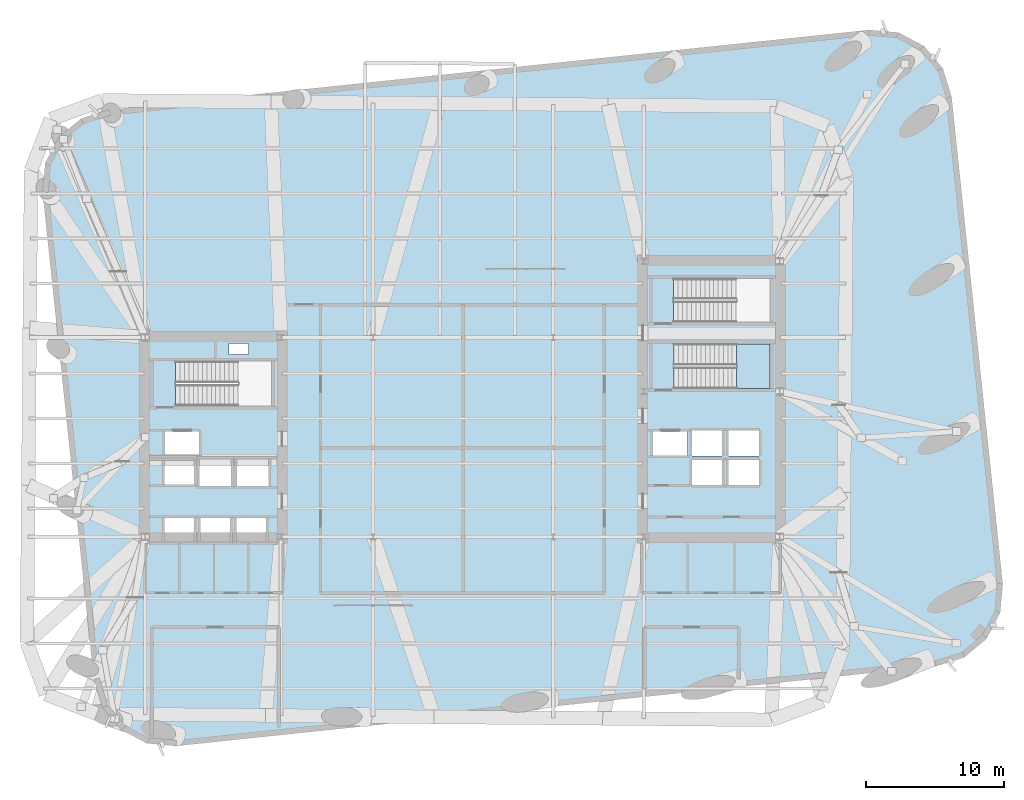
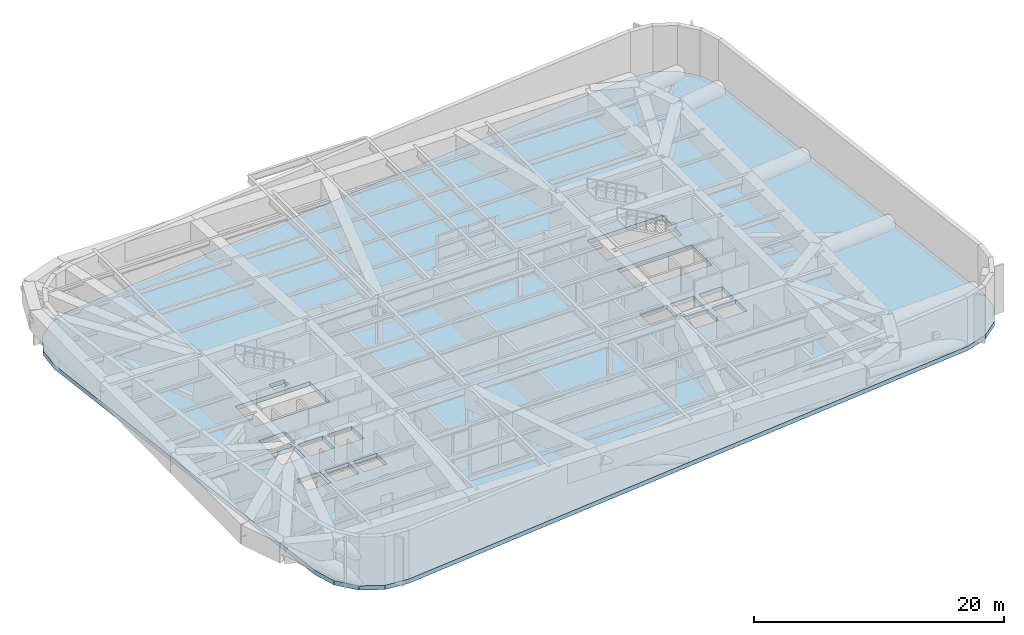
# One storey, part 6 of 15: 2 slabs, 1 element without a shape of its own.
"""IFC4 building model written with IfcOpenShell, lengths in metres."""

from ifc_helpers import new_model, si_unit, direction, frame, origin, place, context, subcontext, project, spatial, polyline, outline, extrude, material, layer, layer_set, type_object, element, aggregate, save


model = new_model("IFC4")

# Units and contexts
model_context = context("Model", 3, precision=1e-05, world=origin(), true_north=direction((0.0, 1.0)))
body_context = subcontext(model_context, "Body", "Model", "MODEL_VIEW")
ifc_project = project(units=[si_unit("LENGTHUNIT", "METRE"), si_unit("AREAUNIT", "SQUARE_METRE"), si_unit("VOLUMEUNIT", "CUBIC_METRE"), si_unit("PLANEANGLEUNIT", "RADIAN"), si_unit("MASSUNIT", "GRAM", prefix="KILO")], contexts=[model_context])

# Site, building, storey
site_placement = place(None, origin())
site = spatial("IfcSite", under=ifc_project, at=site_placement, CompositionType="ELEMENT")
building_placement = place(site_placement, origin())
building = spatial("IfcBuilding", under=site, at=building_placement, Name="Kolvaren Arena Tower", CompositionType="ELEMENT")
storey_placement = place(building_placement, frame((0.0, 0.0, 153.25)))
storey = spatial("IfcBuildingStorey", under=building, at=storey_placement, Name="L36", CompositionType="ELEMENT", Elevation=153.25)

# Stair, slab
ifc_material_1 = material(Name="Concrete 45 MPa", Category="concrete")
stair_type = type_object("IfcStairType", Name="STAIR-CORE-165", PredefinedType="HALF_TURN_STAIR", material=ifc_material_1)
stair_placement = place(storey_placement, origin())
stair = element("IfcStair", 1, at=stair_placement, inside=storey, type_object=stair_type, Name="L36 ST-E1", PredefinedType="HALF_TURN_STAIR")
ifc_layer_1 = layer(ifc_material_1, 0.199951171875)
ifc_layer_set_1 = layer_set([ifc_layer_1], Name="Concrete 45 MPa")
slab_type_1 = type_object("IfcSlabType", Name="SLAB-LAND", PredefinedType="LANDING", material=ifc_layer_set_1)
slab_1_placement = place(storey_placement, frame((0.0, 0.0, 2.39990234375)))
slab_1 = element("IfcSlab", 2, at=slab_1_placement, type_object=slab_type_1, Name="ST-E1 landing 1", PredefinedType="LANDING", context=body_context, shape_type="SweptSolid", body=[
    extrude(outline(polyline([(57.256103515625, 30.14990234375), (59.659912109375, 30.14990234375), (59.659912109375, 33.3798828125), (57.256103515625, 33.3798828125), (57.256103515625, 30.14990234375)])), origin(), (0.0, 0.0, 1.0), 0.2001953125),
])
aggregate(stair, [slab_1])

# Slab
ifc_material_2 = material(Name="Concrete 50 MPa", Category="concrete")
ifc_layer_2 = layer(ifc_material_2, 0.419921875)
ifc_layer_set_2 = layer_set([ifc_layer_2], Name="Concrete 50 MPa")
slab_type_2 = type_object("IfcSlabType", Name="SLAB-PLANT", PredefinedType="FLOOR", material=ifc_layer_set_2)
slab_2_placement = place(storey_placement, frame((0.0, 0.0, -0.419921875)))
element("IfcSlab", 3, at=slab_2_placement, inside=storey, type_object=slab_type_2, Name="L36 Primary Structural Slab", PredefinedType="FLOOR", context=body_context, shape_type="SweptSolid", body=[
    extrude(outline(polyline([(71.663330078125, 10.111572265625), (73.675537109375, 10.736328125), (75.29541015625, 12.08349609375), (76.276611328125, 13.9482421875), (76.469482421875, 16.04638671875), (72.76904296875, 51.25244140625), (72.144287109375, 53.2646484375), (70.797119140625, 54.884521484375), (68.932373046875, 55.865478515625), (66.834228515625, 56.058349609375), (11.9365234375, 50.28857421875), (9.92431640625, 49.663818359375), (8.304443359375, 48.31640625), (7.323486328125, 46.45166015625), (7.130615234375, 44.353515625), (10.830810546875, 9.1474609375), (11.455810546875, 7.13525390625), (12.802978515625, 5.515380859375), (14.667724609375, 4.534423828125), (16.765869140625, 4.341552734375), (71.663330078125, 10.111572265625)]), holes=[polyline([(15.93505859375, 19.0849609375), (15.93505859375, 20.81494140625), (18.06494140625, 20.81494140625), (18.06494140625, 19.0849609375), (15.93505859375, 19.0849609375)]), polyline([(18.534912109375, 19.0849609375), (18.534912109375, 20.81494140625), (20.6650390625, 20.81494140625), (20.6650390625, 19.0849609375), (18.534912109375, 19.0849609375)]), polyline([(21.135009765625, 19.0849609375), (21.135009765625, 20.81494140625), (23.264892578125, 20.81494140625), (23.264892578125, 19.0849609375), (21.135009765625, 19.0849609375)]), polyline([(18.4599609375, 23.135009765625), (18.4599609375, 25.06494140625), (20.739990234375, 25.06494140625), (20.739990234375, 23.135009765625), (18.4599609375, 23.135009765625)]), polyline([(21.159912109375, 23.135009765625), (21.159912109375, 25.06494140625), (23.43994140625, 25.06494140625), (23.43994140625, 23.135009765625), (21.159912109375, 23.135009765625)]), polyline([(54.030029296875, 23.18505859375), (54.030029296875, 25.014892578125), (56.2099609375, 25.014892578125), (56.2099609375, 23.18505859375), (54.030029296875, 23.18505859375)]), polyline([(56.669921875, 23.18505859375), (56.669921875, 25.014892578125), (58.85009765625, 25.014892578125), (58.85009765625, 23.18505859375), (56.669921875, 23.18505859375)]), polyline([(15.93505859375, 23.235107421875), (15.93505859375, 24.965087890625), (18.06494140625, 24.965087890625), (18.06494140625, 23.235107421875), (15.93505859375, 23.235107421875)]), polyline([(54.030029296875, 25.284912109375), (54.030029296875, 27.114990234375), (56.2099609375, 27.114990234375), (56.2099609375, 25.284912109375), (54.030029296875, 25.284912109375)]), polyline([(56.669921875, 25.284912109375), (56.669921875, 27.114990234375), (58.85009765625, 27.114990234375), (58.85009765625, 25.284912109375), (56.669921875, 25.284912109375)]), polyline([(15.9599609375, 25.3349609375), (15.9599609375, 27.06494140625), (18.43994140625, 27.06494140625), (18.43994140625, 25.3349609375), (15.9599609375, 25.3349609375)]), polyline([(51.219970703125, 25.3349609375), (51.219970703125, 27.06494140625), (53.699951171875, 27.06494140625), (53.699951171875, 25.3349609375), (51.219970703125, 25.3349609375)]), polyline([(16.735107421875, 28.89990234375), (16.735107421875, 32.1298828125), (23.659912109375, 32.1298828125), (23.659912109375, 28.89990234375), (16.735107421875, 28.89990234375)]), polyline([(52.735107421875, 30.14990234375), (52.735107421875, 33.3798828125), (59.659912109375, 33.3798828125), (59.659912109375, 30.14990234375), (52.735107421875, 30.14990234375)]), polyline([(20.60009765625, 32.6201171875), (20.60009765625, 33.39990234375), (22.0, 33.39990234375), (22.0, 32.6201171875), (20.60009765625, 32.6201171875)]), polyline([(52.695068359375, 34.949951171875), (52.695068359375, 38.10009765625), (59.659912109375, 38.10009765625), (59.659912109375, 34.949951171875), (52.695068359375, 34.949951171875)])]), origin(), (0.0, 0.0, 1.0), 0.419921875),
])

save(model, "model.ifc")
